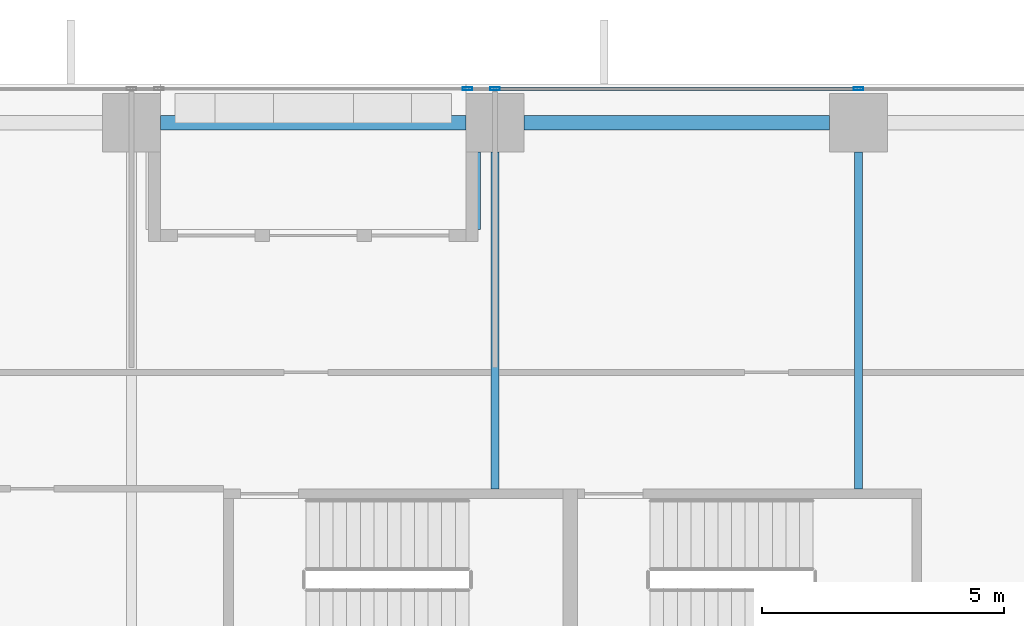
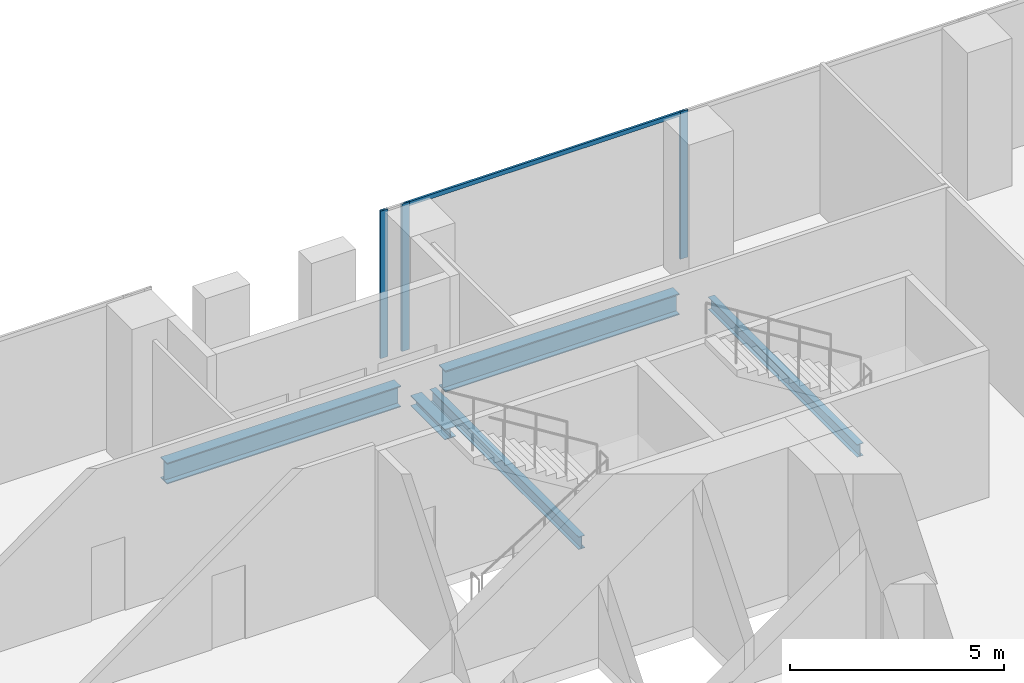
# One storey, part 15 of 32: 5 beams, 4 members, 1 element without a shape of its own.
"""IFC4 building model written with IfcOpenShell, lengths in metres."""

from ifc_helpers import new_model, si_unit, direction, frame, origin, origin_2d, place, context, subcontext, project, spatial, hollow_rectangle, i_section, extrude, source, transform, mapped, material, material_profile, profile_set, type_object, element, aggregate, save


model = new_model("IFC4")

# Units and contexts
model_context = context("Model", 3, precision=1e-05, world=origin(), true_north=direction((0.0, 1.0)))
body_context = subcontext(model_context, "Body", "Model", "MODEL_VIEW")
ifc_project = project(units=[si_unit("LENGTHUNIT", "METRE"), si_unit("AREAUNIT", "SQUARE_METRE"), si_unit("VOLUMEUNIT", "CUBIC_METRE"), si_unit("PLANEANGLEUNIT", "RADIAN"), si_unit("MASSUNIT", "GRAM", prefix="KILO")], contexts=[model_context])

# Site, building, storey
site_placement = place(None, origin())
site = spatial("IfcSite", under=ifc_project, at=site_placement, CompositionType="ELEMENT")
building_placement = place(site_placement, origin())
building = spatial("IfcBuilding", under=site, at=building_placement, Name="Khomas Fold Tower", CompositionType="ELEMENT")
storey_placement = place(building_placement, frame((0.0, 0.0, 42.0)))
storey = spatial("IfcBuildingStorey", under=building, at=storey_placement, Name="L08", CompositionType="ELEMENT", Elevation=42.0)

# Beams
ifc_material_1 = material(Name="Steel S355", Category="steel")
ifc_material_profile_1 = material_profile(ifc_material_1, i_section(OverallWidth=0.169921875, OverallDepth=0.360107421875, WebThickness=0.008056640625, FlangeThickness=0.0126953125, at=origin_2d()), Name="IPE 360")
ifc_profile_set_1 = profile_set([ifc_material_profile_1], Name="Steel S355")
beam_type_1 = type_object("IfcBeamType", Name="IPE 360 beam JB2", PredefinedType="BEAM", material=ifc_profile_set_1)
shared_shape_1 = source(origin(), body_context, "Body", "SweptSolid", [
    extrude(i_section(OverallWidth=0.169921875, OverallDepth=0.360107421875, WebThickness=0.008056640625, FlangeThickness=0.0126953125, at=origin_2d()), origin(), (0.0, 0.0, 1.0), 6.9501953125),
])
for number, where, z_axis, x_axis, name in (
    (1, (19.5, 45.64990234375, -0.47998046875), (0.0, 1.0, 0.0), (-1.0, 0.0, 0.0), "JB2"),
    (2, (27.0, 45.64990234375, -0.47998046875), (0.0, 1.0, 0.0), (-1.0, 0.0, 0.0), "JB2"),
):
    element("IfcBeam", number, at=place(storey_placement, frame(where, z_axis=z_axis, x_axis=x_axis)), inside=storey, type_object=beam_type_1, Name=name, PredefinedType="BEAM", context=body_context, shape_type="MappedRepresentation", body=[
        mapped(shared_shape_1, transform((0.0, 0.0, 0.0))),
    ])
ifc_material_2 = material(Name="Steel S355", Category="steel")
ifc_material_profile_2 = material_profile(ifc_material_2, i_section(OverallWidth=0.300048828125, OverallDepth=0.60009765625, WebThickness=0.015380859375, FlangeThickness=0.030029296875, at=origin_2d()), Name="HE 600 B")
ifc_profile_set_2 = profile_set([ifc_material_profile_2], Name="Steel S355")
beam_type_2 = type_object("IfcBeamType", Name="HE 600 B spandrel SB1", PredefinedType="SPANDREL", material=ifc_profile_set_2)
shared_shape_2 = source(origin(), body_context, "Body", "SweptSolid", [
    extrude(i_section(OverallWidth=0.300048828125, OverallDepth=0.60009765625, WebThickness=0.015380859375, FlangeThickness=0.030029296875, at=origin_2d()), origin(), (0.0, 0.0, 1.0), 6.2998046875),
])
for number, where, z_axis, x_axis, name in (
    (3, (20.10009765625, 53.199951171875, -0.60009765625), (1.0, 0.0, 0.0), (0.0, 1.0, 0.0), "SB1"),
    (4, (12.60009765625, 53.199951171875, -0.60009765625), (1.0, 0.0, 0.0), (0.0, 1.0, 0.0), "SB1"),
):
    element("IfcBeam", number, at=place(storey_placement, frame(where, z_axis=z_axis, x_axis=x_axis)), inside=storey, type_object=beam_type_2, Name=name, PredefinedType="SPANDREL", context=body_context, shape_type="MappedRepresentation", body=[
        mapped(shared_shape_2, transform((0.0, 0.0, 0.0))),
    ])
ifc_material_3 = material(Name="Steel S355", Category="steel")
ifc_material_profile_3 = material_profile(ifc_material_3, i_section(OverallWidth=0.300048828125, OverallDepth=0.300048828125, WebThickness=0.010986328125, FlangeThickness=0.01904296875, at=origin_2d()), Name="HE 300 B")
ifc_profile_set_3 = profile_set([ifc_material_profile_3], Name="Steel S355")
beam_type_3 = type_object("IfcBeamType", Name="HE 300 B beam BB1", PredefinedType="BEAM", material=ifc_profile_set_3)
shared_shape_3 = source(origin(), body_context, "Body", "SweptSolid", [
    extrude(i_section(OverallWidth=0.300048828125, OverallDepth=0.300048828125, WebThickness=0.010986328125, FlangeThickness=0.01904296875, at=origin_2d()), origin(), (0.0, 0.0, 1.0), 1.60009765625),
])
beam_placement = place(storey_placement, frame((19.050048828125, 51.0, -0.449951171875), z_axis=(0.0, 1.0, 0.0), x_axis=(-1.0, 0.0, 0.0)))
element("IfcBeam", 5, at=beam_placement, inside=storey, type_object=beam_type_3, Name="BB1", PredefinedType="BEAM", context=body_context, shape_type="MappedRepresentation", body=[
    mapped(shared_shape_3, transform((0.0, 0.0, 0.0))),
])

# Curtain wall, members
ifc_material_4 = material(Name="Aluminium framed double glazing", Category="aluminium")
curtain_wall_type = type_object("IfcCurtainWallType", Name="SK-Unitised clear-glass wall, growing floors CW1", PredefinedType="NOTDEFINED", material=ifc_material_4)
curtain_wall_placement = place(storey_placement, origin())
curtain_wall = element("IfcCurtainWall", 6, at=curtain_wall_placement, inside=storey, type_object=curtain_wall_type, Name="CW1 run L08 06-0", PredefinedType="NOTDEFINED")
ifc_material_5 = material(Name="Aluminium", Category="aluminium")
ifc_material_profile_4 = material_profile(ifc_material_5, hollow_rectangle(XDim=0.06005859375, YDim=0.1201171875, WallThickness=0.00390625, at=origin_2d()), Name="SK-Unitised clear-glass wall, growing floors transom CW1-T")
ifc_profile_set_4 = profile_set([ifc_material_profile_4], Name="Aluminium")
member_type_1 = type_object("IfcMemberType", Name="SK-Unitised clear-glass wall, growing floors transom CW1-T", PredefinedType="USERDEFINED", material=ifc_profile_set_4)
shared_shape_4 = source(origin(), body_context, "Body", "SweptSolid", [
    extrude(hollow_rectangle(XDim=0.06005859375, YDim=0.1201171875, WallThickness=0.00390625, at=origin_2d()), origin(), (0.0, 0.0, 1.0), 7.43994140625),
])
member_1_placement = place(storey_placement, frame((26.969970703125, 53.89990234375, 4.139892578125), z_axis=(-1.0, 0.0, 0.0), x_axis=(0.0, -1.0, 0.0)))
member_1 = element("IfcMember", 7, at=member_1_placement, type_object=member_type_1, Name="CW1 transom 5", ObjectType="TRANSOM", PredefinedType="USERDEFINED", context=body_context, shape_type="MappedRepresentation", body=[
    mapped(shared_shape_4, transform((0.0, 0.0, 0.0))),
])
ifc_material_6 = material(Name="Aluminium", Category="aluminium")
ifc_material_profile_5 = material_profile(ifc_material_6, hollow_rectangle(XDim=0.06005859375, YDim=0.199951171875, WallThickness=0.00390625, at=origin_2d()), Name="SK-Unitised clear-glass wall, growing floors mullion CW1-M")
ifc_profile_set_5 = profile_set([ifc_material_profile_5], Name="Aluminium")
member_type_2 = type_object("IfcMemberType", Name="SK-Unitised clear-glass wall, growing floors mullion CW1-M", PredefinedType="MULLION", material=ifc_profile_set_5)
shared_shape_5 = source(origin(), body_context, "Body", "SweptSolid", [
    extrude(hollow_rectangle(XDim=0.06005859375, YDim=0.199951171875, WallThickness=0.00390625, at=origin_2d()), origin(), (0.0, 0.0, 1.0), 4.199951171875),
])
member_2_placement = place(storey_placement, frame((27.0, 53.89990234375, 0.0), z_axis=(0.0, 0.0, 1.0), x_axis=(0.0, -1.0, 0.0)))
member_2 = element("IfcMember", 8, at=member_2_placement, type_object=member_type_2, Name="CW1 mullion 5", PredefinedType="MULLION", context=body_context, shape_type="MappedRepresentation", body=[
    mapped(shared_shape_5, transform((0.0, 0.0, 0.0))),
])
member_3_placement = place(storey_placement, frame((19.5, 53.89990234375, 0.0), z_axis=(0.0, 0.0, 1.0), x_axis=(0.0, -1.0, 0.0)))
member_3 = element("IfcMember", 9, at=member_3_placement, type_object=member_type_2, Name="CW1 mullion 6", PredefinedType="MULLION", context=body_context, shape_type="MappedRepresentation", body=[
    mapped(shared_shape_5, transform((0.0, 0.0, 0.0))),
])
member_4_placement = place(storey_placement, frame((18.929931640625, 53.89990234375, 0.0), z_axis=(0.0, 0.0, 1.0), x_axis=(0.0, -1.0, 0.0)))
member_4 = element("IfcMember", 10, at=member_4_placement, type_object=member_type_2, Name="CW1 mullion 7", PredefinedType="MULLION", context=body_context, shape_type="MappedRepresentation", body=[
    mapped(shared_shape_5, transform((0.0, 0.0, 0.0))),
])
aggregate(curtain_wall, [member_2, member_3, member_4, member_1])

save(model, "model.ifc")
